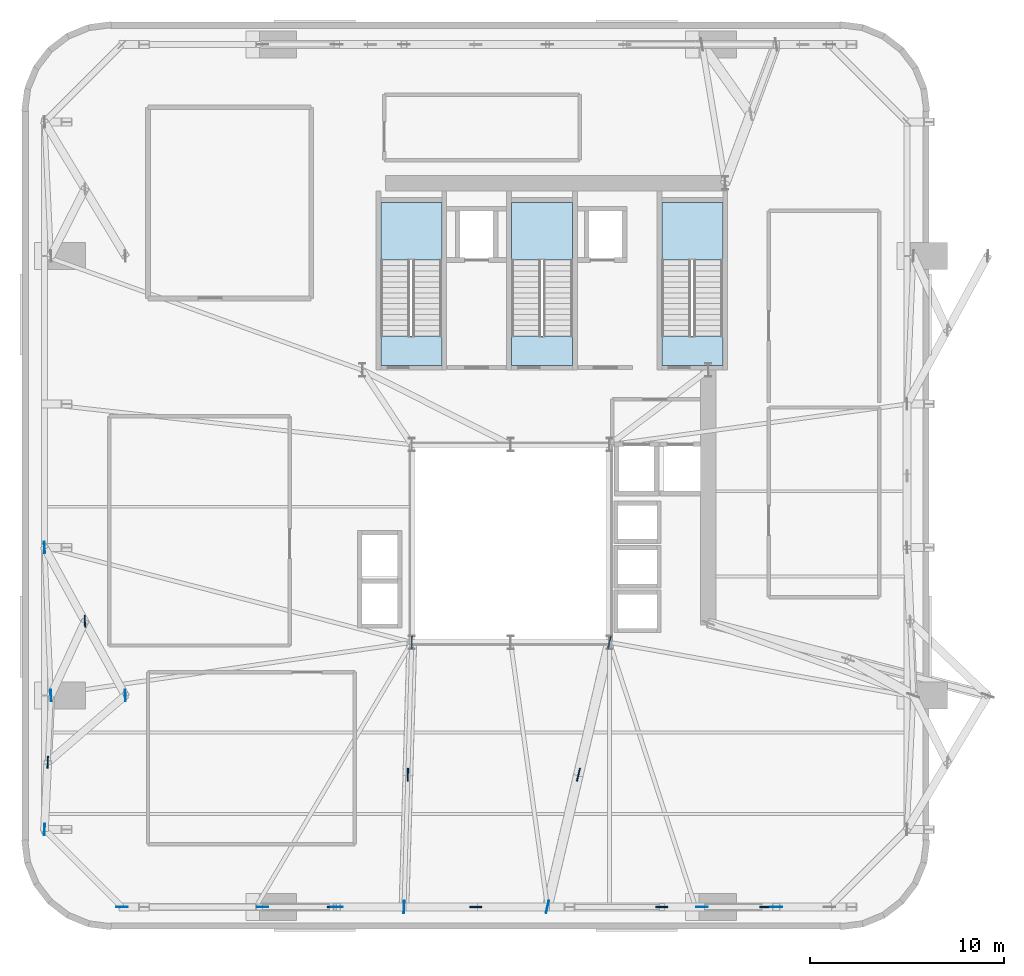
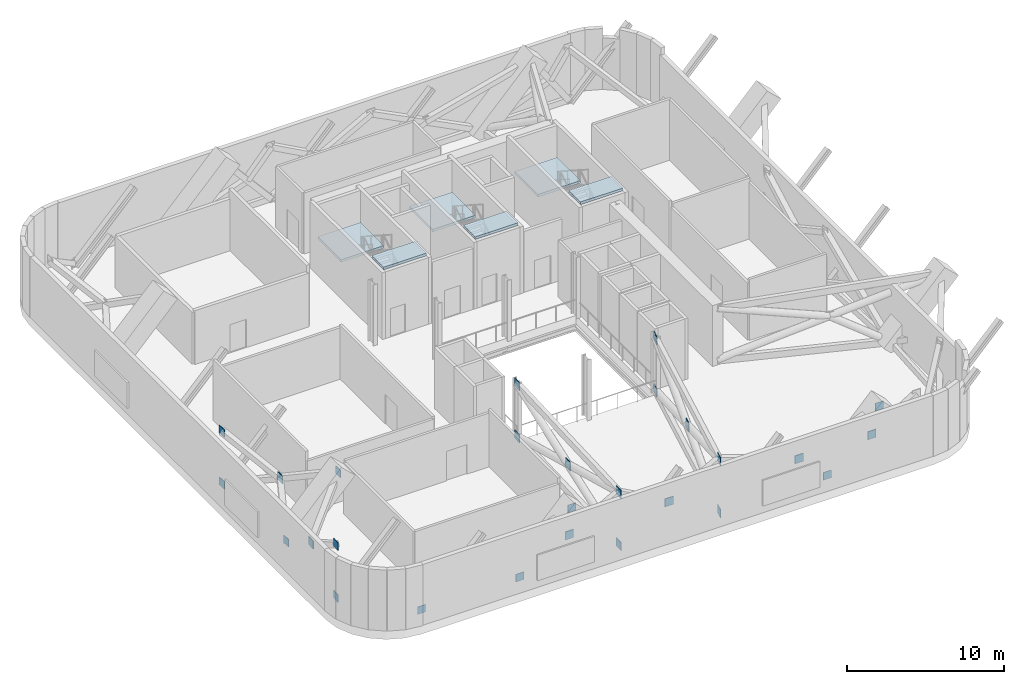
# One storey, part 6 of 14: 27 plates, 6 slabs, 3 elements without a shape of their own.
"""IFC4 building model written with IfcOpenShell, lengths in metres."""

from ifc_helpers import new_model, si_unit, direction, frame, origin, origin_2d, place, context, subcontext, project, spatial, polyline, rectangle, outline, extrude, source, transform, mapped, material, layer, layer_set, type_object, element, aggregate, save


model = new_model("IFC4")

# Units and contexts
model_context = context("Model", 3, precision=1e-05, world=origin(), true_north=direction((0.0, 1.0)))
body_context = subcontext(model_context, "Body", "Model", "MODEL_VIEW")
ifc_project = project(units=[si_unit("LENGTHUNIT", "METRE"), si_unit("AREAUNIT", "SQUARE_METRE"), si_unit("VOLUMEUNIT", "CUBIC_METRE"), si_unit("PLANEANGLEUNIT", "RADIAN"), si_unit("MASSUNIT", "GRAM", prefix="KILO")], contexts=[model_context])

# Site, building, storey
site_placement = place(None, origin())
site = spatial("IfcSite", under=ifc_project, at=site_placement, CompositionType="ELEMENT")
building_placement = place(site_placement, origin())
building = spatial("IfcBuilding", under=site, at=building_placement, Name="Vardaveli Station Tower", CompositionType="ELEMENT")
storey_placement = place(building_placement, frame((0.0, 0.0, 237.300048828125)))
storey = spatial("IfcBuildingStorey", under=building, at=storey_placement, Name="L61", CompositionType="ELEMENT", Elevation=237.300048828125)

# Stair, slabs
ifc_material_1 = material(Name="Concrete C40/50", Category="concrete")
stair_type = type_object("IfcStairType", Name="STR-CORE-1500", PredefinedType="HALF_TURN_STAIR", material=ifc_material_1)
stair_1_placement = place(storey_placement, origin())
stair_1 = element("IfcStair", 1, at=stair_1_placement, inside=storey, type_object=stair_type, Name="L61 ST-1", PredefinedType="HALF_TURN_STAIR")
ifc_layer_1 = layer(ifc_material_1, 0.199951171875, Name="Concrete C40/50")
ifc_layer_set_1 = layer_set([ifc_layer_1], Name="Concrete C40/50")
slab_type = type_object("IfcSlabType", Name="SLB-LAND-200", PredefinedType="LANDING", material=ifc_layer_set_1)
slab_1_placement = place(storey_placement, frame((0.0, 0.0, 2.5)))
slab_1 = element("IfcSlab", 2, at=slab_1_placement, type_object=slab_type, Name="ST-1 landing 1", PredefinedType="LANDING", context=body_context, shape_type="SweptSolid", body=[
    extrude(outline(polyline([(32.75, 36.320068359375), (32.75, 39.300048828125), (29.60009765625, 39.300048828125), (29.60009765625, 36.320068359375), (32.75, 36.320068359375)])), origin(), (0.0, 0.0, 1.0), 0.199951171875),
])
slab_2_placement = place(storey_placement, frame((0.0, 0.0, 5.199951171875)))
slab_2 = element("IfcSlab", 3, at=slab_2_placement, type_object=slab_type, Name="ST-1 landing 2", PredefinedType="LANDING", context=body_context, shape_type="SweptSolid", body=[
    extrude(outline(polyline([(32.75, 30.89990234375), (32.75, 32.39990234375), (29.60009765625, 32.39990234375), (29.60009765625, 30.89990234375), (32.75, 30.89990234375)])), origin(), (0.0, 0.0, 1.0), 0.199951171875),
])
aggregate(stair_1, [slab_1, slab_2])

stair_2_placement = place(storey_placement, origin())
stair_2 = element("IfcStair", 4, at=stair_2_placement, inside=storey, type_object=stair_type, Name="L61 ST-2", PredefinedType="HALF_TURN_STAIR")
slab_3_placement = place(storey_placement, frame((0.0, 0.0, 2.5)))
slab_3 = element("IfcSlab", 5, at=slab_3_placement, type_object=slab_type, Name="ST-2 landing 1", PredefinedType="LANDING", context=body_context, shape_type="SweptSolid", body=[
    extrude(outline(polyline([(39.5, 36.320068359375), (39.5, 39.300048828125), (36.35009765625, 39.300048828125), (36.35009765625, 36.320068359375), (39.5, 36.320068359375)])), origin(), (0.0, 0.0, 1.0), 0.199951171875),
])
slab_4_placement = place(storey_placement, frame((0.0, 0.0, 5.199951171875)))
slab_4 = element("IfcSlab", 6, at=slab_4_placement, type_object=slab_type, Name="ST-2 landing 2", PredefinedType="LANDING", context=body_context, shape_type="SweptSolid", body=[
    extrude(outline(polyline([(39.5, 30.89990234375), (39.5, 32.39990234375), (36.35009765625, 32.39990234375), (36.35009765625, 30.89990234375), (39.5, 30.89990234375)])), origin(), (0.0, 0.0, 1.0), 0.199951171875),
])
aggregate(stair_2, [slab_3, slab_4])

stair_3_placement = place(storey_placement, origin())
stair_3 = element("IfcStair", 7, at=stair_3_placement, inside=storey, type_object=stair_type, Name="L61 ST-3", PredefinedType="HALF_TURN_STAIR")
slab_5_placement = place(storey_placement, frame((0.0, 0.0, 2.5)))
slab_5 = element("IfcSlab", 8, at=slab_5_placement, type_object=slab_type, Name="ST-3 landing 1", PredefinedType="LANDING", context=body_context, shape_type="SweptSolid", body=[
    extrude(outline(polyline([(47.25, 36.320068359375), (47.25, 39.300048828125), (44.10009765625, 39.300048828125), (44.10009765625, 36.320068359375), (47.25, 36.320068359375)])), origin(), (0.0, 0.0, 1.0), 0.199951171875),
])
slab_6_placement = place(storey_placement, frame((0.0, 0.0, 5.199951171875)))
slab_6 = element("IfcSlab", 9, at=slab_6_placement, type_object=slab_type, Name="ST-3 landing 2", PredefinedType="LANDING", context=body_context, shape_type="SweptSolid", body=[
    extrude(outline(polyline([(47.25, 30.89990234375), (47.25, 32.39990234375), (44.10009765625, 32.39990234375), (44.10009765625, 30.89990234375), (47.25, 30.89990234375)])), origin(), (0.0, 0.0, 1.0), 0.199951171875),
])
aggregate(stair_3, [slab_5, slab_6])

# Plates
ifc_material_2 = material(Name="Structural steel S460M", Category="steel")
ifc_layer_2 = layer(ifc_material_2, 0.06005859375, Name="Structural steel S460M")
ifc_layer_set_2 = layer_set([ifc_layer_2], Name="Structural steel S460M")
plate_type_1 = type_object("IfcPlateType", Name="PLT-GUSSET-60", PredefinedType="USERDEFINED", material=ifc_layer_set_2)
shared_shape_1 = source(origin(), body_context, "Body", "SweptSolid", [
    extrude(rectangle(XDim=0.679931640625, YDim=0.06005859375, at=origin_2d()), origin(), (0.0, 0.0, 1.0), 0.679931640625),
])
for number, where, z_axis, x_axis, name in (
    (10, (31.0, 9.77490234375, 2.03515625), (0.0, 0.0, 1.0), (-0.029317330072, -0.999570154695, 0.0), "PLT-L61-OA1-X"),
    (11, (39.800048828125, 9.77490234375, 2.03515625), (0.0, 0.0, 1.0), (-0.22818094506, -0.97361874279, 0.0), "PLT-L61-OA2-X"),
):
    element("IfcPlate", number, at=place(storey_placement, frame(where, z_axis=z_axis, x_axis=x_axis)), inside=storey, type_object=plate_type_1, Name=name, ObjectType="GUSSET PLATE", PredefinedType="USERDEFINED", context=body_context, shape_type="MappedRepresentation", body=[
        mapped(shared_shape_1, transform((0.0, 0.0, 0.0), scale=1.0)),
    ])
shared_shape_2 = source(origin(), body_context, "Body", "SweptSolid", [
    extrude(rectangle(XDim=0.64990234375, YDim=0.06005859375, at=origin_2d()), origin(), (0.0, 0.0, 1.0), 0.64990234375),
])
for number, where, z_axis, x_axis, name in (
    (12, (31.199951171875, 16.60009765625, 0.02490234375), (0.0, 0.0, 1.0), (-0.029317330072, -0.999570154695, 0.0), "PLT-L61-OA1-CB"),
    (13, (31.199951171875, 16.60009765625, 4.074951171875), (0.0, 0.0, 1.0), (-0.029317330072, -0.999570154695, 0.0), "PLT-L61-OA1-CT"),
    (14, (41.39990234375, 16.60009765625, 0.02490234375), (0.0, 0.0, 1.0), (-0.22818094506, -0.97361874279, 0.0), "PLT-L61-OA2-CB"),
    (15, (41.39990234375, 16.60009765625, 4.074951171875), (0.0, 0.0, 1.0), (-0.22818094506, -0.97361874279, 0.0), "PLT-L61-OA2-CT"),
):
    element("IfcPlate", number, at=place(storey_placement, frame(where, z_axis=z_axis, x_axis=x_axis)), inside=storey, type_object=plate_type_1, Name=name, ObjectType="GUSSET PLATE", PredefinedType="USERDEFINED", context=body_context, shape_type="MappedRepresentation", body=[
        mapped(shared_shape_2, transform((0.0, 0.0, 0.0), scale=1.0)),
    ])
ifc_layer_3 = layer(ifc_material_2, 0.0400390625, Name="Structural steel S460M")
ifc_layer_set_3 = layer_set([ifc_layer_3], Name="Structural steel S460M")
plate_type_2 = type_object("IfcPlateType", Name="PLT-CAP-40", PredefinedType="USERDEFINED", material=ifc_layer_set_3)
shared_shape_3 = source(origin(), body_context, "Body", "SweptSolid", [
    extrude(rectangle(XDim=0.64990234375, YDim=0.0400390625, at=origin_2d()), origin(), (0.0, 0.0, 1.0), 0.64990234375),
])
for number, where, z_axis, x_axis, name in (
    (16, (30.800048828125, 2.949951171875, 0.02490234375), (0.0, 0.0, 1.0), (-0.029317330072, -0.999570154695, 0.0), "PLT-L61-OA1-MB"),
    (17, (30.800048828125, 2.949951171875, 4.074951171875), (0.0, 0.0, 1.0), (-0.029317330072, -0.999570154695, 0.0), "PLT-L61-OA1-MT"),
    (18, (38.199951171875, 2.949951171875, 0.02490234375), (0.0, 0.0, 1.0), (-0.22818094506, -0.97361874279, 0.0), "PLT-L61-OA2-MB"),
    (19, (38.199951171875, 2.949951171875, 4.074951171875), (0.0, 0.0, 1.0), (-0.22818094506, -0.97361874279, 0.0), "PLT-L61-OA2-MT"),
):
    element("IfcPlate", number, at=place(storey_placement, frame(where, z_axis=z_axis, x_axis=x_axis)), inside=storey, type_object=plate_type_2, Name=name, ObjectType="GUSSET PLATE", PredefinedType="USERDEFINED", context=body_context, shape_type="MappedRepresentation", body=[
        mapped(shared_shape_3, transform((0.0, 0.0, 0.0), scale=1.0)),
    ])
shared_shape_4 = source(origin(), body_context, "Body", "SweptSolid", [
    extrude(rectangle(XDim=0.6201171875, YDim=0.06005859375, at=origin_2d()), origin(), (0.0, 0.0, 1.0), 0.6201171875),
])
for number, where, z_axis, x_axis, name in (
    (20, (27.145751953125, 2.949951171875, 2.06494140625), (0.0, 0.0, 1.0), (1.0, 0.0, 0.0), "PLT-L61-BLTX-01"),
    (21, (34.5, 2.949951171875, 2.06494140625), (0.0, 0.0, 1.0), (1.0, 0.0, 0.0), "PLT-L61-BLTX-02"),
    (22, (44.104248046875, 2.949951171875, 2.06494140625), (0.0, 0.0, 1.0), (1.0, 0.0, 0.0), "PLT-L61-BLTX-03"),
    (23, (49.460693359375, 2.949951171875, 2.06494140625), (0.0, 0.0, 1.0), (1.0, 0.0, 0.0), "PLT-L61-BLTX-04"),
    (24, (14.334228515625, 17.679931640625, 2.06494140625), (0.0, 0.0, 1.0), (0.043445019893, -0.999055819385, 0.0), "PLT-L61-BLTX-14"),
    (25, (12.415771484375, 10.405029296875, 2.06494140625), (0.0, 0.0, 1.0), (-0.047978128521, -0.998848386485, 0.0), "PLT-L61-BLTX-15"),
):
    element("IfcPlate", number, at=place(storey_placement, frame(where, z_axis=z_axis, x_axis=x_axis)), inside=storey, type_object=plate_type_1, Name=name, ObjectType="GUSSET PLATE", PredefinedType="USERDEFINED", context=body_context, shape_type="MappedRepresentation", body=[
        mapped(shared_shape_4, transform((0.0, 0.0, 0.0), scale=1.0)),
    ])
shared_shape_5 = source(origin(), body_context, "Body", "SweptSolid", [
    extrude(rectangle(XDim=0.60009765625, YDim=0.0400390625, at=origin_2d()), origin(), (0.0, 0.0, 1.0), 0.60009765625),
])
for number, where, z_axis, x_axis, name in (
    (26, (23.49169921875, 2.949951171875, 0.0498046875), (0.0, 0.0, 1.0), (1.0, 0.0, 0.0), "PLT-L61-BLTAB-01"),
    (27, (27.328369140625, 2.949951171875, 4.099853515625), (0.0, 0.0, 1.0), (1.0, 0.0, 0.0), "PLT-L61-BLTAT-01"),
    (28, (46.171630859375, 2.949951171875, 0.0498046875), (0.0, 0.0, 1.0), (1.0, 0.0, 0.0), "PLT-L61-BLTBB-03"),
    (29, (50.00830078125, 2.949951171875, 4.099853515625), (0.0, 0.0, 1.0), (1.0, 0.0, 0.0), "PLT-L61-BLTBT-03"),
    (30, (12.25, 21.5, 0.0498046875), (0.0, 0.0, 1.0), (0.043445019893, -0.999055819385, 0.0), "PLT-L61-BLTAB-14"),
    (31, (12.58154296875, 13.860107421875, 0.0498046875), (0.0, 0.0, 1.0), (0.043445019893, -0.999055819385, 0.0), "PLT-L61-BLTBB-14"),
    (32, (12.25, 21.5, 4.099853515625), (0.0, 0.0, 1.0), (0.043445019893, -0.999055819385, 0.0), "PLT-L61-BLTAT-14"),
    (33, (16.41845703125, 13.860107421875, 4.099853515625), (0.0, 0.0, 1.0), (0.043445019893, -0.999055819385, 0.0), "PLT-L61-BLTBT-14"),
    (34, (12.25, 6.949951171875, 0.0498046875), (0.0, 0.0, 1.0), (-0.047978128521, -0.998848386485, 0.0), "PLT-L61-BLTBB-15"),
    (35, (12.25, 6.949951171875, 4.099853515625), (0.0, 0.0, 1.0), (-0.047978128521, -0.998848386485, 0.0), "PLT-L61-BLTBT-15"),
):
    element("IfcPlate", number, at=place(storey_placement, frame(where, z_axis=z_axis, x_axis=x_axis)), inside=storey, type_object=plate_type_2, Name=name, ObjectType="GUSSET PLATE", PredefinedType="USERDEFINED", context=body_context, shape_type="MappedRepresentation", body=[
        mapped(shared_shape_5, transform((0.0, 0.0, 0.0), scale=1.0)),
    ])
shared_shape_6 = source(origin(), body_context, "Body", "SweptSolid", [
    extrude(rectangle(XDim=0.580078125, YDim=0.0400390625, at=origin_2d()), origin(), (0.0, 0.0, 1.0), 0.580078125),
])
plate_placement = place(storey_placement, frame((16.25, 2.949951171875, 0.059814453125), z_axis=(0.0, 0.0, 1.0), x_axis=(1.0, 0.0, 0.0)))
element("IfcPlate", 36, at=plate_placement, inside=storey, type_object=plate_type_2, Name="PLT-L61-STRB-1", ObjectType="GUSSET PLATE", PredefinedType="USERDEFINED", context=body_context, shape_type="MappedRepresentation", body=[
    mapped(shared_shape_6, transform((0.0, 0.0, 0.0), scale=1.0)),
])

save(model, "model.ifc")
